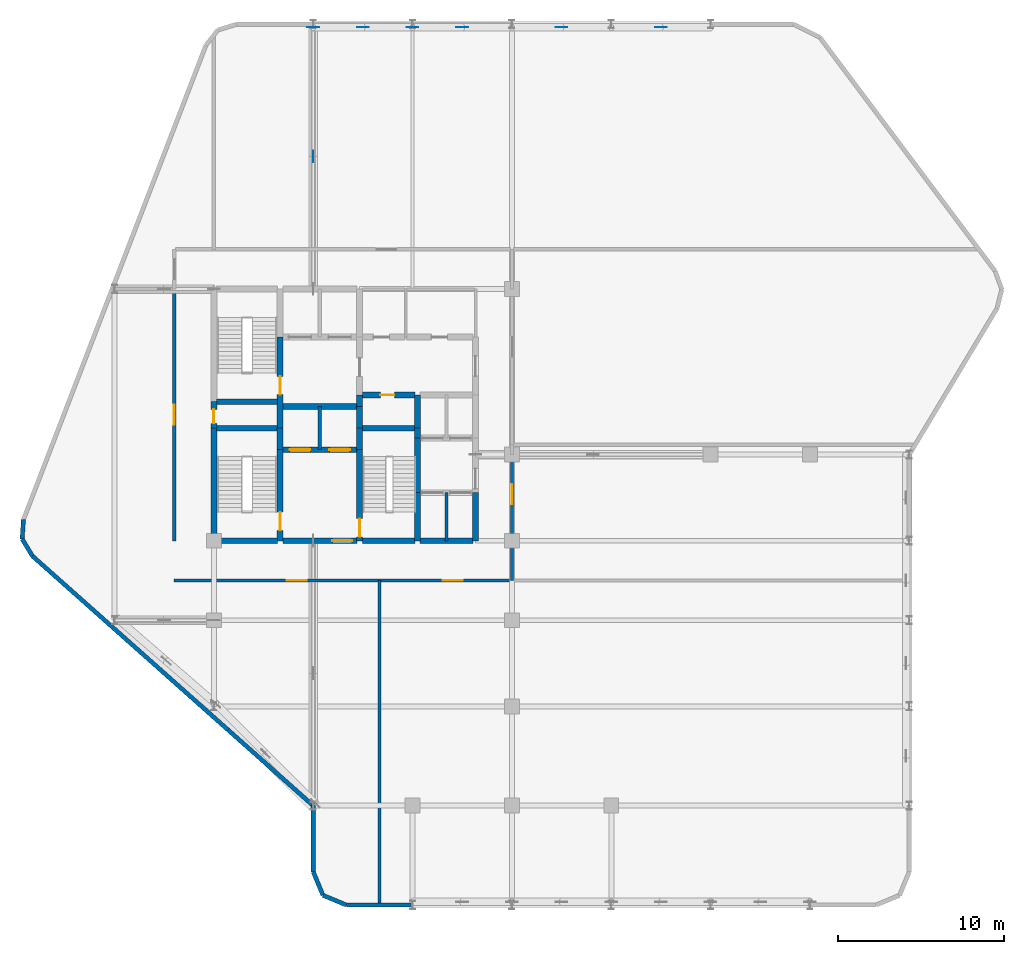
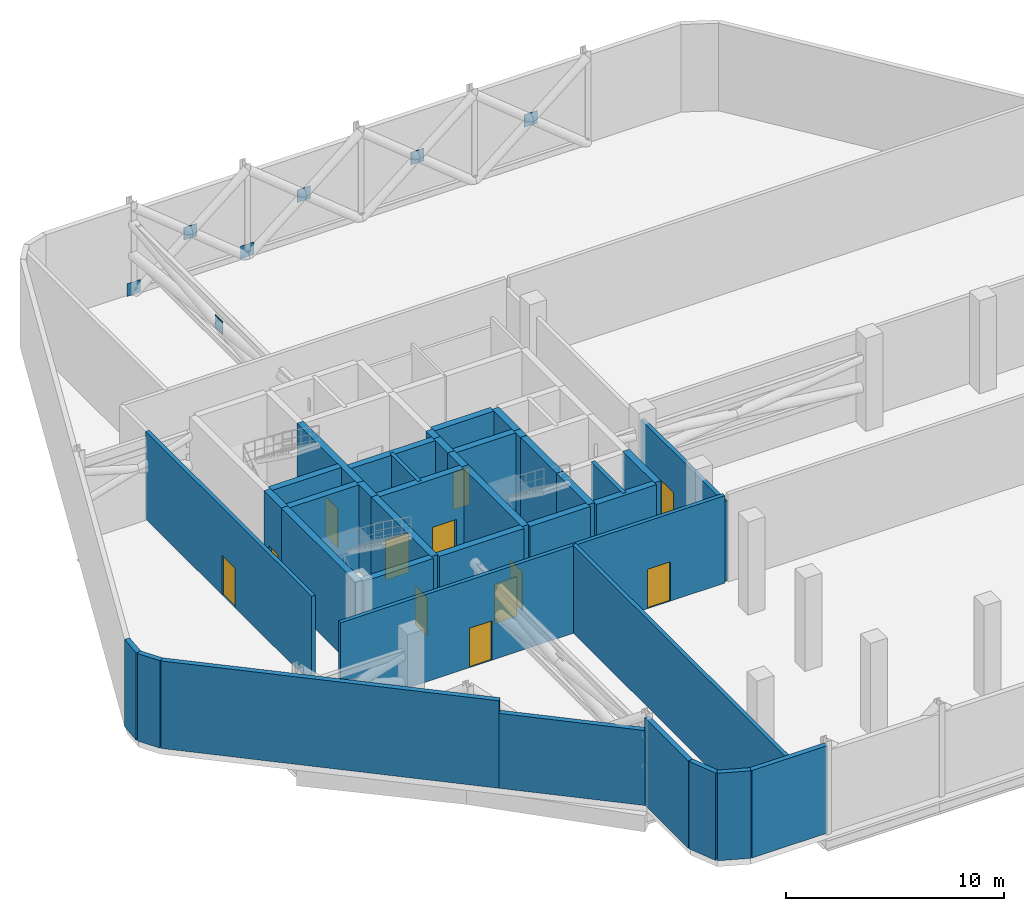
# One storey, part 9 of 12: 38 walls, 12 doors, 7 plates, 12 openings.
"""IFC4 building model written with IfcOpenShell, lengths in metres."""

from ifc_helpers import new_model, si_unit, direction, frame, frame_2d, origin, origin_2d, place, context, subcontext, project, spatial, rectangle, extrude, material, layer, layer_set, type_object, element, fill, save


model = new_model("IFC4")

# Units and contexts
model_context = context("Model", 3, precision=1e-05, world=origin(), true_north=direction((0.0, 1.0)))
body_context = subcontext(model_context, "Body", "Model", "MODEL_VIEW")
ifc_project = project(units=[si_unit("LENGTHUNIT", "METRE"), si_unit("AREAUNIT", "SQUARE_METRE"), si_unit("VOLUMEUNIT", "CUBIC_METRE"), si_unit("PLANEANGLEUNIT", "RADIAN"), si_unit("MASSUNIT", "GRAM", prefix="KILO")], contexts=[model_context])

# Site, building, storey
site_placement = place(None, origin())
site = spatial("IfcSite", under=ifc_project, at=site_placement, CompositionType="ELEMENT")
building_placement = place(site_placement, origin())
building = spatial("IfcBuilding", under=site, at=building_placement, Name="Keshet Zoharim Tower", CompositionType="ELEMENT")
storey_placement = place(building_placement, frame((0.0, 0.0, 159.39990234375)))
storey = spatial("IfcBuildingStorey", under=building, at=storey_placement, Name="L39", CompositionType="ELEMENT", Elevation=159.39990234375)

# Plates
ifc_material_1 = material(Name="Steel S355", Category="steel")
ifc_layer_1 = layer(ifc_material_1, 0.02490234375)
ifc_layer_set_1 = layer_set([ifc_layer_1], Name="Steel S355")
plate_type = type_object("IfcPlateType", Name="PL-GUS-25", PredefinedType="SHEET", material=ifc_layer_set_1)
for number, where, z_axis, x_axis, name in (
    (1, (24.0, 53.7099609375, 2.09521484375), (0.0, 0.0, 1.0), (1.0, 0.0, 0.0), "L39 Belt Truss X-Crossing Gusset 07"),
    (2, (21.0, 53.7099609375, 0.0), (0.0, 0.0, 1.0), (1.0, 0.0, 0.0), "L39 Belt Truss Node Gusset 07"),
    (3, (30.0, 53.7099609375, 2.09521484375), (0.0, 0.0, 1.0), (1.0, 0.0, 0.0), "L39 Belt Truss X-Crossing Gusset 08"),
    (4, (27.0, 53.7099609375, 0.0), (0.0, 0.0, 1.0), (1.0, 0.0, 0.0), "L39 Belt Truss Node Gusset 08"),
    (5, (36.0, 53.7099609375, 2.09521484375), (0.0, 0.0, 1.0), (1.0, 0.0, 0.0), "L39 Belt Truss X-Crossing Gusset 09"),
    (6, (42.0, 53.7099609375, 2.09521484375), (0.0, 0.0, 1.0), (1.0, 0.0, 0.0), "L39 Belt Truss X-Crossing Gusset 10"),
    (7, (21.0, 45.89990234375, 2.68994140625), (0.0, 0.0, 1.0), (0.0, 1.0, 0.0), "L39 Core Outrigger X-Crossing Gusset N1"),
):
    element("IfcPlate", number, at=place(storey_placement, frame(where, z_axis=z_axis, x_axis=x_axis)), inside=storey, type_object=plate_type, Name=name, PredefinedType="SHEET", context=body_context, shape_type="SweptSolid", body=[
        extrude(rectangle(XDim=0.699951171875, YDim=0.02490234375, at=origin_2d()), origin(), (0.0, 0.0, 1.0), 0.699951171875),
    ])

# Wall
ifc_material_2 = material(Name="Concrete C60/75", Category="concrete")
ifc_layer_2 = layer(ifc_material_2, 0.35009765625)
ifc_layer_set_2 = layer_set([ifc_layer_2], Name="Concrete C60/75")
wall_type_1 = type_object("IfcWallType", Name="WL-CORE-350", PredefinedType="SHEAR", material=ifc_layer_set_2)
wall_1_placement = place(storey_placement, frame((15.0, 22.699951171875, 0.0), z_axis=(0.0, 0.0, 1.0), x_axis=(0.0, 1.0, 0.0)))
element("IfcWall", 8, at=wall_1_placement, inside=storey, type_object=wall_type_1, Name="L39 Core Shear Wall 003", PredefinedType="SHEAR", context=body_context, shape_type="SweptSolid", body=[
    extrude(rectangle(XDim=6.800048828125, YDim=0.35009765625, at=frame_2d((3.39990234375, 0.0))), origin(), (0.0, 0.0, 1.0), 4.89013671875),
])

# Wall, opening, door
wall_2_placement = place(storey_placement, frame((15.0, 29.5, 0.0), z_axis=(0.0, 0.0, 1.0), x_axis=(0.0, 1.0, 0.0)))
wall_2 = element("IfcWall", 9, at=wall_2_placement, inside=storey, type_object=wall_type_1, Name="L39 Core Shear Wall 004", PredefinedType="SHEAR", context=body_context, shape_type="SweptSolid", body=[
    extrude(rectangle(XDim=1.60009765625, YDim=0.35009765625, at=frame_2d((0.800048828125, 0.0))), origin(), (0.0, 0.0, 1.0), 4.89013671875),
])
opening_1_placement = place(wall_2_placement, frame((0.287109375, 0.0, 0.0)))
opening_1 = element("IfcOpeningElement", 10, at=opening_1_placement, cuts=wall_2, Name="Opening D-RS85", PredefinedType="OPENING", context=body_context, shape_type="SweptSolid", body=[
    extrude(rectangle(XDim=0.85009765625, YDim=2.10009765625, at=frame_2d((0.425048828125, 1.050048828125))), frame((0.0, 0.18505859375, 0.0), z_axis=(0.0, -1.0, 0.0), x_axis=(1.0, 0.0, 0.0)), (0.0, 0.0, 1.0), 0.3701171875),
])
ifc_material_3 = material(Name="Hardwood Timber", Category="wood")
door_type_1 = type_object("IfcDoorType", Name="DR-RIS-085", OperationType="NOTDEFINED", PredefinedType="DOOR", material=ifc_material_3)
door_1_placement = place(opening_1_placement, origin())
door_1 = element("IfcDoor", 11, at=door_1_placement, inside=storey, type_object=door_type_1, Name="L39 Electrical Riser Access Cupboard Door", OperationType="SINGLE_SWING_RIGHT", OverallHeight=2.10009765625, OverallWidth=0.85009765625, PredefinedType="DOOR", context=body_context, shape_type="SweptSolid", body=[
    extrude(rectangle(XDim=0.85009765625, YDim=2.10009765625, at=frame_2d((0.425048828125, 1.050048828125))), frame((0.0, 0.02490234375, 0.0), z_axis=(0.0, -1.0, 0.0), x_axis=(1.0, 0.0, 0.0)), (0.0, 0.0, 1.0), 0.050048828125),
])
fill(opening_1, door_1)

wall_3_placement = place(storey_placement, frame((19.0, 22.699951171875, 0.0), z_axis=(0.0, 0.0, 1.0), x_axis=(0.0, 1.0, 0.0)))
wall_3 = element("IfcWall", 12, at=wall_3_placement, inside=storey, type_object=wall_type_1, Name="L39 Core Shear Wall 007", PredefinedType="SHEAR", context=body_context, shape_type="SweptSolid", body=[
    extrude(rectangle(XDim=5.5, YDim=0.35009765625, at=frame_2d((2.75, 0.0))), origin(), (0.0, 0.0, 1.0), 4.89013671875),
])
opening_2_placement = place(wall_3_placement, frame((0.631103515625, 0.0, 0.0)))
opening_2 = element("IfcOpeningElement", 13, at=opening_2_placement, cuts=wall_3, Name="Opening D-F611", PredefinedType="OPENING", context=body_context, shape_type="SweptSolid", body=[
    extrude(rectangle(XDim=1.10009765625, YDim=2.14990234375, at=frame_2d((0.550048828125, 1.074951171875))), frame((0.0, 0.18505859375, 0.0), z_axis=(0.0, -1.0, 0.0), x_axis=(1.0, 0.0, 0.0)), (0.0, 0.0, 1.0), 0.3701171875),
])
door_type_2 = type_object("IfcDoorType", Name="DR-FD60-110", OperationType="NOTDEFINED", PredefinedType="DOOR", material=ifc_material_3)
door_2_placement = place(opening_2_placement, origin())
door_2 = element("IfcDoor", 14, at=door_2_placement, inside=storey, type_object=door_type_2, Name="L39 Exit Stair ST-01 Fire Door", OperationType="SINGLE_SWING_LEFT", OverallHeight=2.14990234375, OverallWidth=1.10009765625, PredefinedType="DOOR", context=body_context, shape_type="SweptSolid", body=[
    extrude(rectangle(XDim=1.10009765625, YDim=2.14990234375, at=frame_2d((0.550048828125, 1.074951171875))), frame((0.0, 0.02490234375, 0.0), z_axis=(0.0, -1.0, 0.0), x_axis=(1.0, 0.0, 0.0)), (0.0, 0.0, 1.0), 0.050048828125),
])
fill(opening_2, door_2)

# Wall
wall_4_placement = place(storey_placement, frame((19.0, 28.199951171875, 0.0), z_axis=(0.0, 0.0, 1.0), x_axis=(0.0, 1.0, 0.0)))
element("IfcWall", 15, at=wall_4_placement, inside=storey, type_object=wall_type_1, Name="L39 Core Shear Wall 008", PredefinedType="SHEAR", context=body_context, shape_type="SweptSolid", body=[
    extrude(rectangle(XDim=1.300048828125, YDim=0.35009765625, at=frame_2d((0.64990234375, 0.0))), origin(), (0.0, 0.0, 1.0), 4.89013671875),
])

# Wall, opening, door
wall_5_placement = place(storey_placement, frame((19.0, 29.5, 0.0), z_axis=(0.0, 0.0, 1.0), x_axis=(0.0, 1.0, 0.0)))
wall_5 = element("IfcWall", 16, at=wall_5_placement, inside=storey, type_object=wall_type_1, Name="L39 Core Shear Wall 009", PredefinedType="SHEAR", context=body_context, shape_type="SweptSolid", body=[
    extrude(rectangle(XDim=5.5, YDim=0.35009765625, at=frame_2d((2.75, 0.0))), origin(), (0.0, 0.0, 1.0), 4.89013671875),
])
opening_3_placement = place(wall_5_placement, frame((2.02490234375, 0.0, 0.0)))
opening_3 = element("IfcOpeningElement", 17, at=opening_3_placement, cuts=wall_5, Name="Opening D-F611", PredefinedType="OPENING", context=body_context, shape_type="SweptSolid", body=[
    extrude(rectangle(XDim=1.10009765625, YDim=2.14990234375, at=frame_2d((0.550048828125, 1.074951171875))), frame((0.0, 0.18505859375, 0.0), z_axis=(0.0, -1.0, 0.0), x_axis=(1.0, 0.0, 0.0)), (0.0, 0.0, 1.0), 0.3701171875),
])
door_3_placement = place(opening_3_placement, origin())
door_3 = element("IfcDoor", 18, at=door_3_placement, inside=storey, type_object=door_type_2, Name="L39 Exit Stair ST-02 Fire Door", OperationType="SINGLE_SWING_RIGHT", OverallHeight=2.14990234375, OverallWidth=1.10009765625, PredefinedType="DOOR", context=body_context, shape_type="SweptSolid", body=[
    extrude(rectangle(XDim=1.10009765625, YDim=2.14990234375, at=frame_2d((0.550048828125, 1.074951171875))), frame((0.0, 0.02490234375, 0.0), z_axis=(0.0, -1.0, 0.0), x_axis=(1.0, 0.0, 0.0)), (0.0, 0.0, 1.0), 0.050048828125),
])
fill(opening_3, door_3)

wall_6_placement = place(storey_placement, frame((23.800048828125, 22.699951171875, 0.0), z_axis=(0.0, 0.0, 1.0), x_axis=(0.0, 1.0, 0.0)))
wall_6 = element("IfcWall", 19, at=wall_6_placement, inside=storey, type_object=wall_type_1, Name="L39 Core Shear Wall 013", PredefinedType="SHEAR", context=body_context, shape_type="SweptSolid", body=[
    extrude(rectangle(XDim=5.5, YDim=0.35009765625, at=frame_2d((2.75, 0.0))), origin(), (0.0, 0.0, 1.0), 4.89013671875),
])
opening_4_placement = place(wall_6_placement, frame((0.235107421875, 0.0, 0.0)))
opening_4 = element("IfcOpeningElement", 20, at=opening_4_placement, cuts=wall_6, Name="Opening D-F611", PredefinedType="OPENING", context=body_context, shape_type="SweptSolid", body=[
    extrude(rectangle(XDim=1.10009765625, YDim=2.14990234375, at=frame_2d((0.550048828125, 1.074951171875))), frame((0.0, 0.18505859375, 0.0), z_axis=(0.0, -1.0, 0.0), x_axis=(1.0, 0.0, 0.0)), (0.0, 0.0, 1.0), 0.3701171875),
])
door_4_placement = place(opening_4_placement, frame((1.10009765625, 0.0, 0.0), z_axis=(0.0, 0.0, 1.0), x_axis=(-1.0, 0.0, 0.0)))
door_4 = element("IfcDoor", 21, at=door_4_placement, inside=storey, type_object=door_type_2, Name="L39 Exit Stair ST-03 Fire Door", OperationType="SINGLE_SWING_LEFT", OverallHeight=2.14990234375, OverallWidth=1.10009765625, PredefinedType="DOOR", context=body_context, shape_type="SweptSolid", body=[
    extrude(rectangle(XDim=1.10009765625, YDim=2.14990234375, at=frame_2d((0.550048828125, 1.074951171875))), frame((0.0, 0.02490234375, 0.0), z_axis=(0.0, -1.0, 0.0), x_axis=(1.0, 0.0, 0.0)), (0.0, 0.0, 1.0), 0.050048828125),
])
fill(opening_4, door_4)

# Walls
for number, where, z_axis, x_axis, name in (
    (22, (23.800048828125, 28.199951171875, 0.0), (0.0, 0.0, 1.0), (0.0, 1.0, 0.0), "L39 Core Shear Wall 014"),
    (23, (23.800048828125, 29.5, 0.0), (0.0, 0.0, 1.0), (0.0, 1.0, 0.0), "L39 Core Shear Wall 015"),
):
    element("IfcWall", number, at=place(storey_placement, frame(where, z_axis=z_axis, x_axis=x_axis)), inside=storey, type_object=wall_type_1, Name=name, PredefinedType="SHEAR", context=body_context, shape_type="SweptSolid", body=[
        extrude(rectangle(XDim=1.300048828125, YDim=0.35009765625, at=frame_2d((0.64990234375, 0.0))), origin(), (0.0, 0.0, 1.0), 4.89013671875),
    ])
wall_7_placement = place(storey_placement, frame((23.800048828125, 30.800048828125, 0.0), z_axis=(0.0, 0.0, 1.0), x_axis=(0.0, 1.0, 0.0)))
element("IfcWall", 24, at=wall_7_placement, inside=storey, type_object=wall_type_1, Name="L39 Core Shear Wall 016", PredefinedType="SHEAR", context=body_context, shape_type="SweptSolid", body=[
    extrude(rectangle(XDim=0.699951171875, YDim=0.35009765625, at=frame_2d((0.35009765625, 0.0))), origin(), (0.0, 0.0, 1.0), 4.89013671875),
])
wall_8_placement = place(storey_placement, frame((27.300048828125, 22.699951171875, 0.0), z_axis=(0.0, 0.0, 1.0), x_axis=(0.0, 1.0, 0.0)))
element("IfcWall", 25, at=wall_8_placement, inside=storey, type_object=wall_type_1, Name="L39 Core Shear Wall 021", PredefinedType="SHEAR", context=body_context, shape_type="SweptSolid", body=[
    extrude(rectangle(XDim=2.900146484375, YDim=0.35009765625, at=frame_2d((1.4501953125, 0.0))), origin(), (0.0, 0.0, 1.0), 4.89013671875),
])
wall_9_placement = place(storey_placement, frame((27.300048828125, 25.60009765625, 0.0), z_axis=(0.0, 0.0, 1.0), x_axis=(0.0, 1.0, 0.0)))
element("IfcWall", 26, at=wall_9_placement, inside=storey, type_object=wall_type_1, Name="L39 Core Shear Wall 022", PredefinedType="SHEAR", context=body_context, shape_type="SweptSolid", body=[
    extrude(rectangle(XDim=3.2998046875, YDim=0.35009765625, at=frame_2d((1.64990234375, 0.0))), origin(), (0.0, 0.0, 1.0), 4.89013671875),
])
wall_10_placement = place(storey_placement, frame((27.300048828125, 28.89990234375, 0.0), z_axis=(0.0, 0.0, 1.0), x_axis=(0.0, 1.0, 0.0)))
element("IfcWall", 27, at=wall_10_placement, inside=storey, type_object=wall_type_1, Name="L39 Core Shear Wall 023", PredefinedType="SHEAR", context=body_context, shape_type="SweptSolid", body=[
    extrude(rectangle(XDim=0.60009765625, YDim=0.35009765625, at=frame_2d((0.300048828125, 0.0))), origin(), (0.0, 0.0, 1.0), 4.89013671875),
])
wall_11_placement = place(storey_placement, frame((27.300048828125, 29.5, 0.0), z_axis=(0.0, 0.0, 1.0), x_axis=(0.0, 1.0, 0.0)))
element("IfcWall", 28, at=wall_11_placement, inside=storey, type_object=wall_type_1, Name="L39 Core Shear Wall 024", PredefinedType="SHEAR", context=body_context, shape_type="SweptSolid", body=[
    extrude(rectangle(XDim=2.0, YDim=0.35009765625, at=frame_2d((1.0, 0.0))), origin(), (0.0, 0.0, 1.0), 4.89013671875),
])
wall_12_placement = place(storey_placement, frame((30.800048828125, 22.699951171875, 0.0), z_axis=(0.0, 0.0, 1.0), x_axis=(0.0, 1.0, 0.0)))
element("IfcWall", 29, at=wall_12_placement, inside=storey, type_object=wall_type_1, Name="L39 Core Shear Wall 027", PredefinedType="SHEAR", context=body_context, shape_type="SweptSolid", body=[
    extrude(rectangle(XDim=2.900146484375, YDim=0.35009765625, at=frame_2d((1.4501953125, 0.0))), origin(), (0.0, 0.0, 1.0), 4.89013671875),
])
wall_13_placement = place(storey_placement, frame((15.159912109375, 22.699951171875, 0.0), z_axis=(0.0, 0.0, 1.0), x_axis=(1.0, 0.0, 0.0)))
element("IfcWall", 30, at=wall_13_placement, inside=storey, type_object=wall_type_1, Name="L39 Core Shear Wall 036", PredefinedType="SHEAR", context=body_context, shape_type="SweptSolid", body=[
    extrude(rectangle(XDim=3.68017578125, YDim=0.35009765625, at=frame_2d((1.840087890625, 0.0))), origin(), (0.0, 0.0, 1.0), 4.89013671875),
])

# Wall, opening, door
wall_14_placement = place(storey_placement, frame((19.159912109375, 22.699951171875, 0.0), z_axis=(0.0, 0.0, 1.0), x_axis=(1.0, 0.0, 0.0)))
wall_14 = element("IfcWall", 31, at=wall_14_placement, inside=storey, type_object=wall_type_1, Name="L39 Core Shear Wall 037", PredefinedType="SHEAR", context=body_context, shape_type="SweptSolid", body=[
    extrude(rectangle(XDim=4.47998046875, YDim=0.35009765625, at=frame_2d((2.239990234375, 0.0))), origin(), (0.0, 0.0, 1.0), 4.89013671875),
])
opening_5_placement = place(wall_14_placement, frame((2.989990234375, 0.0, 0.0)))
opening_5 = element("IfcOpeningElement", 32, at=opening_5_placement, cuts=wall_14, Name="Opening D-F612", PredefinedType="OPENING", context=body_context, shape_type="SweptSolid", body=[
    extrude(rectangle(XDim=1.199951171875, YDim=2.199951171875, at=frame_2d((0.60009765625, 1.10009765625))), frame((0.0, 0.18505859375, 0.0), z_axis=(0.0, -1.0, 0.0), x_axis=(1.0, 0.0, 0.0)), (0.0, 0.0, 1.0), 0.3701171875),
])
door_type_3 = type_object("IfcDoorType", Name="DR-FD60-120", OperationType="NOTDEFINED", PredefinedType="DOOR", material=ifc_material_3)
door_5_placement = place(opening_5_placement, origin())
door_5 = element("IfcDoor", 33, at=door_5_placement, inside=storey, type_object=door_type_3, Name="L39 South Core Lobby Fire Door", OperationType="SINGLE_SWING_LEFT", OverallHeight=2.199951171875, OverallWidth=1.199951171875, PredefinedType="DOOR", context=body_context, shape_type="SweptSolid", body=[
    extrude(rectangle(XDim=1.199951171875, YDim=2.199951171875, at=frame_2d((0.60009765625, 1.10009765625))), frame((0.0, 0.02490234375, 0.0), z_axis=(0.0, -1.0, 0.0), x_axis=(1.0, 0.0, 0.0)), (0.0, 0.0, 1.0), 0.050048828125),
])
fill(opening_5, door_5)

# Walls
for number, where, z_axis, x_axis, name in (
    (34, (23.9599609375, 22.699951171875, 0.0), (0.0, 0.0, 1.0), (1.0, 0.0, 0.0), "L39 Core Shear Wall 038"),
    (35, (27.4599609375, 22.699951171875, 0.0), (0.0, 0.0, 1.0), (1.0, 0.0, 0.0), "L39 Core Shear Wall 039"),
):
    element("IfcWall", number, at=place(storey_placement, frame(where, z_axis=z_axis, x_axis=x_axis)), inside=storey, type_object=wall_type_1, Name=name, PredefinedType="SHEAR", context=body_context, shape_type="SweptSolid", body=[
        extrude(rectangle(XDim=3.179931640625, YDim=0.35009765625, at=frame_2d((1.58984375, 0.0))), origin(), (0.0, 0.0, 1.0), 4.89013671875),
    ])

# Wall, openings, doors
wall_15_placement = place(storey_placement, frame((19.159912109375, 28.199951171875, 0.0), z_axis=(0.0, 0.0, 1.0), x_axis=(1.0, 0.0, 0.0)))
wall_15 = element("IfcWall", 36, at=wall_15_placement, inside=storey, type_object=wall_type_1, Name="L39 Core Shear Wall 041", PredefinedType="SHEAR", context=body_context, shape_type="SweptSolid", body=[
    extrude(rectangle(XDim=4.47998046875, YDim=0.35009765625, at=frame_2d((2.239990234375, 0.0))), origin(), (0.0, 0.0, 1.0), 4.89013671875),
])
opening_6_placement = place(wall_15_placement, frame((0.4150390625, 0.0, 0.0)))
opening_6 = element("IfcOpeningElement", 37, at=opening_6_placement, cuts=wall_15, Name="Opening LD-01", PredefinedType="OPENING", context=body_context, shape_type="SweptSolid", body=[
    extrude(rectangle(XDim=1.25, YDim=2.199951171875, at=frame_2d((0.625, 1.10009765625))), frame((0.0, 0.18505859375, 0.0), z_axis=(0.0, -1.0, 0.0), x_axis=(1.0, 0.0, 0.0)), (0.0, 0.0, 1.0), 0.3701171875),
])
opening_7_placement = place(wall_15_placement, frame((2.81494140625, 0.0, 0.0)))
opening_7 = element("IfcOpeningElement", 38, at=opening_7_placement, cuts=wall_15, Name="Opening LD-01", PredefinedType="OPENING", context=body_context, shape_type="SweptSolid", body=[
    extrude(rectangle(XDim=1.25, YDim=2.199951171875, at=frame_2d((0.625, 1.10009765625))), frame((0.0, 0.18505859375, 0.0), z_axis=(0.0, -1.0, 0.0), x_axis=(1.0, 0.0, 0.0)), (0.0, 0.0, 1.0), 0.3701171875),
])
door_type_4 = type_object("IfcDoorType", Name="DR-LD01-125", OperationType="DOUBLE_DOOR_SLIDING", PredefinedType="DOOR", material=ifc_material_1)
door_6_placement = place(opening_6_placement, origin())
door_6 = element("IfcDoor", 39, at=door_6_placement, inside=storey, type_object=door_type_4, Name="L39 Passenger Lift Landing Door LF-09", OperationType="DOUBLE_DOOR_SLIDING", OverallHeight=2.199951171875, OverallWidth=1.25, PredefinedType="DOOR", context=body_context, shape_type="SweptSolid", body=[
    extrude(rectangle(XDim=1.25, YDim=2.199951171875, at=frame_2d((0.625, 1.10009765625))), frame((0.0, 0.02490234375, 0.0), z_axis=(0.0, -1.0, 0.0), x_axis=(1.0, 0.0, 0.0)), (0.0, 0.0, 1.0), 0.050048828125),
])
fill(opening_6, door_6)
door_7_placement = place(opening_7_placement, origin())
door_7 = element("IfcDoor", 40, at=door_7_placement, inside=storey, type_object=door_type_4, Name="L39 Passenger Lift Landing Door LF-10", OperationType="DOUBLE_DOOR_SLIDING", OverallHeight=2.199951171875, OverallWidth=1.25, PredefinedType="DOOR", context=body_context, shape_type="SweptSolid", body=[
    extrude(rectangle(XDim=1.25, YDim=2.199951171875, at=frame_2d((0.625, 1.10009765625))), frame((0.0, 0.02490234375, 0.0), z_axis=(0.0, -1.0, 0.0), x_axis=(1.0, 0.0, 0.0)), (0.0, 0.0, 1.0), 0.050048828125),
])
fill(opening_7, door_7)

# Walls
wall_16_placement = place(storey_placement, frame((15.159912109375, 29.5, 0.0), z_axis=(0.0, 0.0, 1.0), x_axis=(1.0, 0.0, 0.0)))
element("IfcWall", 41, at=wall_16_placement, inside=storey, type_object=wall_type_1, Name="L39 Core Shear Wall 044", PredefinedType="SHEAR", context=body_context, shape_type="SweptSolid", body=[
    extrude(rectangle(XDim=3.68017578125, YDim=0.35009765625, at=frame_2d((1.840087890625, 0.0))), origin(), (0.0, 0.0, 1.0), 4.89013671875),
])
wall_17_placement = place(storey_placement, frame((23.9599609375, 29.5, 0.0), z_axis=(0.0, 0.0, 1.0), x_axis=(1.0, 0.0, 0.0)))
element("IfcWall", 42, at=wall_17_placement, inside=storey, type_object=wall_type_1, Name="L39 Core Shear Wall 045", PredefinedType="SHEAR", context=body_context, shape_type="SweptSolid", body=[
    extrude(rectangle(XDim=3.179931640625, YDim=0.35009765625, at=frame_2d((1.58984375, 0.0))), origin(), (0.0, 0.0, 1.0), 4.89013671875),
])
wall_18_placement = place(storey_placement, frame((19.159912109375, 30.800048828125, 0.0), z_axis=(0.0, 0.0, 1.0), x_axis=(1.0, 0.0, 0.0)))
element("IfcWall", 43, at=wall_18_placement, inside=storey, type_object=wall_type_1, Name="L39 Core Shear Wall 046", PredefinedType="SHEAR", context=body_context, shape_type="SweptSolid", body=[
    extrude(rectangle(XDim=4.47998046875, YDim=0.35009765625, at=frame_2d((2.239990234375, 0.0))), origin(), (0.0, 0.0, 1.0), 4.89013671875),
])
wall_19_placement = place(storey_placement, frame((15.159912109375, 31.10009765625, 0.0), z_axis=(0.0, 0.0, 1.0), x_axis=(1.0, 0.0, 0.0)))
element("IfcWall", 44, at=wall_19_placement, inside=storey, type_object=wall_type_1, Name="L39 Core Shear Wall 047", PredefinedType="SHEAR", context=body_context, shape_type="SweptSolid", body=[
    extrude(rectangle(XDim=3.68017578125, YDim=0.35009765625, at=frame_2d((1.840087890625, 0.0))), origin(), (0.0, 0.0, 1.0), 4.89013671875),
])

# Wall, opening, door
wall_20_placement = place(storey_placement, frame((23.9599609375, 31.5, 0.0), z_axis=(0.0, 0.0, 1.0), x_axis=(1.0, 0.0, 0.0)))
wall_20 = element("IfcWall", 45, at=wall_20_placement, inside=storey, type_object=wall_type_1, Name="L39 Core Shear Wall 048", PredefinedType="SHEAR", context=body_context, shape_type="SweptSolid", body=[
    extrude(rectangle(XDim=3.179931640625, YDim=0.35009765625, at=frame_2d((1.58984375, 0.0))), origin(), (0.0, 0.0, 1.0), 4.89013671875),
])
opening_8_placement = place(wall_20_placement, frame((1.093994140625, 0.0, 0.0)))
opening_8 = element("IfcOpeningElement", 46, at=opening_8_placement, cuts=wall_20, Name="Opening D-RS85", PredefinedType="OPENING", context=body_context, shape_type="SweptSolid", body=[
    extrude(rectangle(XDim=0.85009765625, YDim=2.10009765625, at=frame_2d((0.425048828125, 1.050048828125))), frame((0.0, 0.18505859375, 0.0), z_axis=(0.0, -1.0, 0.0), x_axis=(1.0, 0.0, 0.0)), (0.0, 0.0, 1.0), 0.3701171875),
])
door_8_placement = place(opening_8_placement, origin())
door_8 = element("IfcDoor", 47, at=door_8_placement, inside=storey, type_object=door_type_1, Name="L39 Telecom Riser Access Cupboard Door", OperationType="SINGLE_SWING_RIGHT", OverallHeight=2.10009765625, OverallWidth=0.85009765625, PredefinedType="DOOR", context=body_context, shape_type="SweptSolid", body=[
    extrude(rectangle(XDim=0.85009765625, YDim=2.10009765625, at=frame_2d((0.425048828125, 1.050048828125))), frame((0.0, 0.02490234375, 0.0), z_axis=(0.0, -1.0, 0.0), x_axis=(1.0, 0.0, 0.0)), (0.0, 0.0, 1.0), 0.050048828125),
])
fill(opening_8, door_8)

# Walls
ifc_material_4 = material(Name="Concrete C50/60 precast", Category="concrete")
ifc_layer_3 = layer(ifc_material_4, 0.260009765625)
ifc_layer_set_3 = layer_set([ifc_layer_3], Name="Concrete C50/60 precast")
wall_type_2 = type_object("IfcWallType", Name="WL-EXT-260", PredefinedType="STANDARD", material=ifc_layer_set_3)
for number, where, z_axis, x_axis, name in (
    (48, (23.0, 0.699951171875, 0.0), (0.0, 0.0, 1.0), (-0.92383017907, 0.382802560388, 0.0), "L39 Exterior Facade Wall 04"),
    (49, (21.5859375, 1.285888671875, 0.0), (0.0, 0.0, 1.0), (-0.382802560388, 0.92383017907, 0.0), "L39 Exterior Facade Wall 05"),
):
    element("IfcWall", number, at=place(storey_placement, frame(where, z_axis=z_axis, x_axis=x_axis)), inside=storey, type_object=wall_type_2, Name=name, PredefinedType="STANDARD", context=body_context, shape_type="SweptSolid", body=[
        extrude(rectangle(XDim=1.53076171875, YDim=0.260009765625, at=frame_2d((0.765380859375, 0.0))), origin(), (0.0, 0.0, 1.0), 4.89013671875),
    ])
wall_21_placement = place(storey_placement, frame((21.0, 2.699951171875, 0.0), z_axis=(0.0, 0.0, 1.0), x_axis=(0.0, 1.0, 0.0)))
element("IfcWall", 50, at=wall_21_placement, inside=storey, type_object=wall_type_2, Name="L39 Exterior Facade Wall 06", PredefinedType="STANDARD", context=body_context, shape_type="SweptSolid", body=[
    extrude(rectangle(XDim=4.0, YDim=0.260009765625, at=frame_2d((2.0, 0.0))), origin(), (0.0, 0.0, 1.0), 4.89013671875),
])
wall_22_placement = place(storey_placement, frame((21.0, 6.699951171875, 0.0), z_axis=(0.0, 0.0, 1.0), x_axis=(-0.747413226797, 0.664359442177, 0.0)))
element("IfcWall", 51, at=wall_22_placement, inside=storey, type_object=wall_type_2, Name="L39 Exterior Facade Wall 07", PredefinedType="STANDARD", context=body_context, shape_type="SweptSolid", body=[
    extrude(rectangle(XDim=6.893310546875, YDim=0.260009765625, at=frame_2d((3.44677734375, 0.0))), origin(), (0.0, 0.0, 1.0), 4.190185546875),
])
wall_23_placement = place(storey_placement, frame((4.034912109375, 21.780029296875, 0.0), z_axis=(0.0, 0.0, 1.0), x_axis=(-0.51560906497, 0.856823956318, 0.0)))
element("IfcWall", 52, at=wall_23_placement, inside=storey, type_object=wall_type_2, Name="L39 Exterior Facade Wall 08", PredefinedType="STANDARD", context=body_context, shape_type="SweptSolid", body=[
    extrude(rectangle(XDim=1.192626953125, YDim=0.260009765625, at=frame_2d((0.59619140625, 0.0))), origin(), (0.0, 0.0, 1.0), 4.89013671875),
])
wall_24_placement = place(storey_placement, frame((3.419921875, 22.802001953125, 0.0), z_axis=(0.0, 0.0, 1.0), x_axis=(0.064645147091, 0.997908314906, 0.0)))
element("IfcWall", 53, at=wall_24_placement, inside=storey, type_object=wall_type_2, Name="L39 Exterior Facade Wall 09", PredefinedType="STANDARD", context=body_context, shape_type="SweptSolid", body=[
    extrude(rectangle(XDim=1.193359375, YDim=0.260009765625, at=frame_2d((0.5966796875, 0.0))), origin(), (0.0, 0.0, 1.0), 4.89013671875),
])
wall_25_placement = place(storey_placement, frame((27.0, 0.699951171875, 0.0), z_axis=(0.0, 0.0, 1.0), x_axis=(-1.0, 0.0, 0.0)))
element("IfcWall", 54, at=wall_25_placement, inside=storey, type_object=wall_type_2, Name="L39 Exterior Facade Wall 03 Part 3", PredefinedType="STANDARD", context=body_context, shape_type="SweptSolid", body=[
    extrude(rectangle(XDim=4.0, YDim=0.260009765625, at=frame_2d((2.0, 0.0))), origin(), (0.0, 0.0, 1.0), 4.89013671875),
])
wall_26_placement = place(storey_placement, frame((15.847900390625, 11.279541015625, 0.0), z_axis=(0.0, 0.0, 1.0), x_axis=(-0.74740761421, 0.664365756358, 0.0)))
element("IfcWall", 55, at=wall_26_placement, inside=storey, type_object=wall_type_2, Name="L39 Exterior Facade Wall 07 Part 2", PredefinedType="STANDARD", context=body_context, shape_type="SweptSolid", body=[
    extrude(rectangle(XDim=15.80517578125, YDim=0.260009765625, at=frame_2d((7.902587890625, 0.0))), origin(), (0.0, 0.0, 1.0), 4.89013671875),
])

# Wall, opening, door
ifc_material_5 = material(Name="Concrete C50/60", Category="concrete")
ifc_layer_4 = layer(ifc_material_5, 0.199951171875)
ifc_layer_set_4 = layer_set([ifc_layer_4], Name="Concrete C50/60")
wall_type_3 = type_object("IfcWallType", Name="WL-FIRE-200", PredefinedType="STANDARD", material=ifc_layer_set_4)
wall_27_placement = place(storey_placement, frame((12.60009765625, 22.699951171875, 0.0), z_axis=(0.0, 0.0, 1.0), x_axis=(0.0, 1.0, 0.0)))
wall_27 = element("IfcWall", 56, at=wall_27_placement, inside=storey, type_object=wall_type_3, Name="L39 Interior Wall 001", PredefinedType="STANDARD", context=body_context, shape_type="SweptSolid", body=[
    extrude(rectangle(XDim=15.199951171875, YDim=0.199951171875, at=frame_2d((7.60009765625, 0.0))), origin(), (0.0, 0.0, 1.0), 4.89013671875),
])
opening_9_placement = place(wall_27_placement, frame((7.0, 0.0, 0.0)))
opening_9 = element("IfcOpeningElement", 57, at=opening_9_placement, cuts=wall_27, Name="Opening D-F612", PredefinedType="OPENING", context=body_context, shape_type="SweptSolid", body=[
    extrude(rectangle(XDim=1.199951171875, YDim=2.199951171875, at=frame_2d((0.60009765625, 1.10009765625))), frame((0.0, 0.10986328125, 0.0), z_axis=(0.0, -1.0, 0.0), x_axis=(1.0, 0.0, 0.0)), (0.0, 0.0, 1.0), 0.219970703125),
])
door_9_placement = place(opening_9_placement, origin())
door_9 = element("IfcDoor", 58, at=door_9_placement, inside=storey, type_object=door_type_3, Name="L39 Refuge Area West Fire Door", OperationType="SINGLE_SWING_RIGHT", OverallHeight=2.199951171875, OverallWidth=1.199951171875, PredefinedType="DOOR", context=body_context, shape_type="SweptSolid", body=[
    extrude(rectangle(XDim=1.199951171875, YDim=2.199951171875, at=frame_2d((0.60009765625, 1.10009765625))), frame((0.0, 0.02490234375, 0.0), z_axis=(0.0, -1.0, 0.0), x_axis=(1.0, 0.0, 0.0)), (0.0, 0.0, 1.0), 0.050048828125),
])
fill(opening_9, door_9)

# Walls
wall_28_placement = place(storey_placement, frame((21.39990234375, 28.199951171875, 0.0), z_axis=(0.0, 0.0, 1.0), x_axis=(0.0, 1.0, 0.0)))
element("IfcWall", 59, at=wall_28_placement, inside=storey, type_object=wall_type_3, Name="L39 Interior Wall 011", PredefinedType="STANDARD", context=body_context, shape_type="SweptSolid", body=[
    extrude(rectangle(XDim=2.60009765625, YDim=0.199951171875, at=frame_2d((1.300048828125, 0.0))), origin(), (0.0, 0.0, 1.0), 4.89013671875),
])
wall_29_placement = place(storey_placement, frame((25.0, 0.7099609375, 0.0), z_axis=(0.0, 0.0, 1.0), x_axis=(0.0, 1.0, 0.0)))
element("IfcWall", 60, at=wall_29_placement, inside=storey, type_object=wall_type_3, Name="L39 Interior Wall 019", PredefinedType="STANDARD", context=body_context, shape_type="SweptSolid", body=[
    extrude(rectangle(XDim=19.590087890625, YDim=0.199951171875, at=frame_2d((9.794921875, 0.0))), origin(), (0.0, 0.0, 1.0), 4.89013671875),
])
wall_30_placement = place(storey_placement, frame((29.050048828125, 22.699951171875, 0.0), z_axis=(0.0, 0.0, 1.0), x_axis=(0.0, 1.0, 0.0)))
element("IfcWall", 61, at=wall_30_placement, inside=storey, type_object=wall_type_3, Name="L39 Interior Wall 025", PredefinedType="STANDARD", context=body_context, shape_type="SweptSolid", body=[
    extrude(rectangle(XDim=2.900146484375, YDim=0.199951171875, at=frame_2d((1.4501953125, 0.0))), origin(), (0.0, 0.0, 1.0), 4.89013671875),
])

# Wall, opening, door
wall_31_placement = place(storey_placement, frame((33.0, 20.300048828125, 0.0), z_axis=(0.0, 0.0, 1.0), x_axis=(0.0, 1.0, 0.0)))
wall_31 = element("IfcWall", 62, at=wall_31_placement, inside=storey, type_object=wall_type_3, Name="L39 Interior Wall 032", PredefinedType="STANDARD", context=body_context, shape_type="SweptSolid", body=[
    extrude(rectangle(XDim=7.599853515625, YDim=0.199951171875, at=frame_2d((3.7998046875, 0.0))), origin(), (0.0, 0.0, 1.0), 4.489990234375),
])
opening_10_placement = place(wall_31_placement, frame((4.60009765625, 0.0, 0.0)))
opening_10 = element("IfcOpeningElement", 63, at=opening_10_placement, cuts=wall_31, Name="Opening D-F612", PredefinedType="OPENING", context=body_context, shape_type="SweptSolid", body=[
    extrude(rectangle(XDim=1.199951171875, YDim=2.199951171875, at=frame_2d((0.60009765625, 1.10009765625))), frame((0.0, 0.10986328125, 0.0), z_axis=(0.0, -1.0, 0.0), x_axis=(1.0, 0.0, 0.0)), (0.0, 0.0, 1.0), 0.219970703125),
])
door_10_placement = place(opening_10_placement, origin())
door_10 = element("IfcDoor", 64, at=door_10_placement, inside=storey, type_object=door_type_3, Name="L39 Domestic Water Tank Room Fire Door", OperationType="SINGLE_SWING_LEFT", OverallHeight=2.199951171875, OverallWidth=1.199951171875, PredefinedType="DOOR", context=body_context, shape_type="SweptSolid", body=[
    extrude(rectangle(XDim=1.199951171875, YDim=2.199951171875, at=frame_2d((0.60009765625, 1.10009765625))), frame((0.0, 0.02490234375, 0.0), z_axis=(0.0, -1.0, 0.0), x_axis=(1.0, 0.0, 0.0)), (0.0, 0.0, 1.0), 0.050048828125),
])
fill(opening_10, door_10)

# Wall, openings, doors
wall_32_placement = place(storey_placement, frame((12.60009765625, 20.300048828125, 0.0), z_axis=(0.0, 0.0, 1.0), x_axis=(1.0, 0.0, 0.0)))
wall_32 = element("IfcWall", 65, at=wall_32_placement, inside=storey, type_object=wall_type_3, Name="L39 Interior Wall 034", PredefinedType="STANDARD", context=body_context, shape_type="SweptSolid", body=[
    extrude(rectangle(XDim=20.31494140625, YDim=0.199951171875, at=frame_2d((10.157470703125, 0.0))), origin(), (0.0, 0.0, 1.0), 4.89013671875),
])
opening_11_placement = place(wall_32_placement, frame((6.800048828125, 0.0, 0.0)))
opening_11 = element("IfcOpeningElement", 66, at=opening_11_placement, cuts=wall_32, Name="Opening D-F612", PredefinedType="OPENING", context=body_context, shape_type="SweptSolid", body=[
    extrude(rectangle(XDim=1.199951171875, YDim=2.199951171875, at=frame_2d((0.60009765625, 1.10009765625))), frame((0.0, 0.10986328125, 0.0), z_axis=(0.0, -1.0, 0.0), x_axis=(1.0, 0.0, 0.0)), (0.0, 0.0, 1.0), 0.219970703125),
])
opening_12_placement = place(wall_32_placement, frame((16.22509765625, 0.0, 0.0)))
opening_12 = element("IfcOpeningElement", 67, at=opening_12_placement, cuts=wall_32, Name="Opening D-F612", PredefinedType="OPENING", context=body_context, shape_type="SweptSolid", body=[
    extrude(rectangle(XDim=1.199951171875, YDim=2.199951171875, at=frame_2d((0.60009765625, 1.10009765625))), frame((0.0, 0.10986328125, 0.0), z_axis=(0.0, -1.0, 0.0), x_axis=(1.0, 0.0, 0.0)), (0.0, 0.0, 1.0), 0.219970703125),
])
door_11_placement = place(opening_11_placement, origin())
door_11 = element("IfcDoor", 68, at=door_11_placement, inside=storey, type_object=door_type_3, Name="L39 Electrical Switchgear Room Fire Door", OperationType="SINGLE_SWING_LEFT", OverallHeight=2.199951171875, OverallWidth=1.199951171875, PredefinedType="DOOR", context=body_context, shape_type="SweptSolid", body=[
    extrude(rectangle(XDim=1.199951171875, YDim=2.199951171875, at=frame_2d((0.60009765625, 1.10009765625))), frame((0.0, 0.02490234375, 0.0), z_axis=(0.0, -1.0, 0.0), x_axis=(1.0, 0.0, 0.0)), (0.0, 0.0, 1.0), 0.050048828125),
])
fill(opening_11, door_11)
door_12_placement = place(opening_12_placement, origin())
door_12 = element("IfcDoor", 69, at=door_12_placement, inside=storey, type_object=door_type_3, Name="L39 Chiller and Cooling Pump Room Fire Door", OperationType="SINGLE_SWING_RIGHT", OverallHeight=2.199951171875, OverallWidth=1.199951171875, PredefinedType="DOOR", context=body_context, shape_type="SweptSolid", body=[
    extrude(rectangle(XDim=1.199951171875, YDim=2.199951171875, at=frame_2d((0.60009765625, 1.10009765625))), frame((0.0, 0.02490234375, 0.0), z_axis=(0.0, -1.0, 0.0), x_axis=(1.0, 0.0, 0.0)), (0.0, 0.0, 1.0), 0.050048828125),
])
fill(opening_12, door_12)

save(model, "model.ifc")
